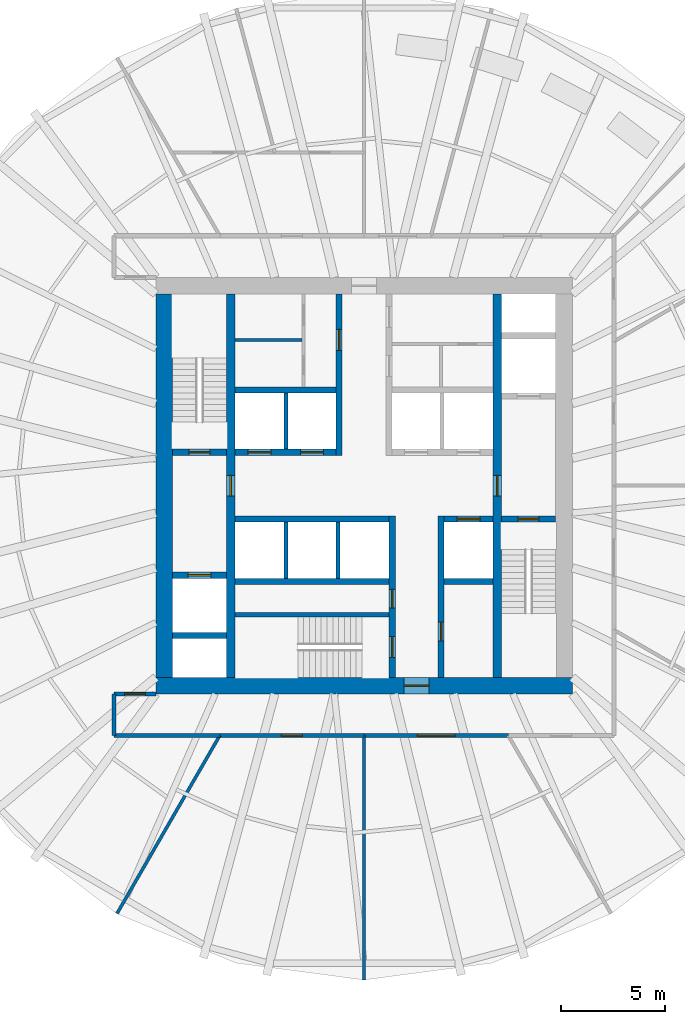
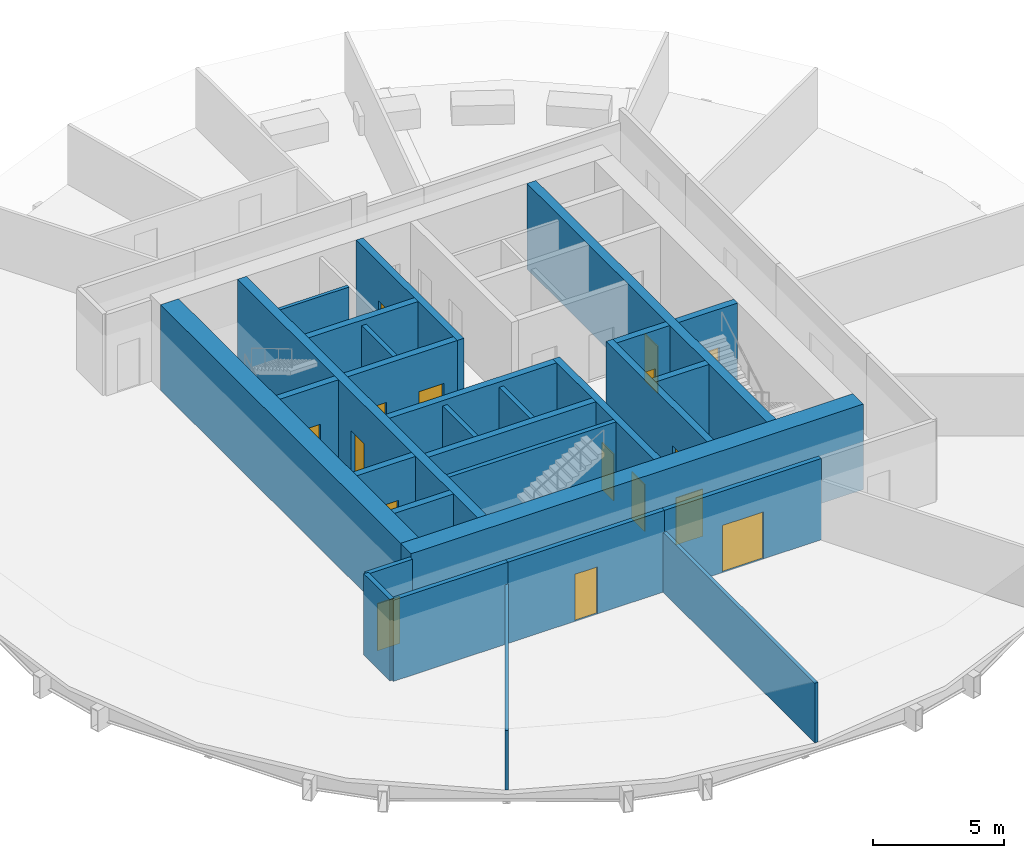
# One storey, part 3 of 7: 29 walls, 16 doors, 16 openings.
"""IFC4 building model written with IfcOpenShell, lengths in metres."""

from ifc_helpers import new_model, si_unit, direction, frame, frame_2d, origin, place, context, subcontext, project, spatial, rectangle, extrude, material, layer, layer_set, type_object, element, fill, save


model = new_model("IFC4")

# Units and contexts
model_context = context("Model", 3, precision=1e-05, world=origin(), true_north=direction((0.0, 1.0)))
body_context = subcontext(model_context, "Body", "Model", "MODEL_VIEW")
ifc_project = project(units=[si_unit("LENGTHUNIT", "METRE"), si_unit("AREAUNIT", "SQUARE_METRE"), si_unit("VOLUMEUNIT", "CUBIC_METRE"), si_unit("PLANEANGLEUNIT", "RADIAN"), si_unit("MASSUNIT", "GRAM", prefix="KILO")], contexts=[model_context])

# Site, building, storey
site_placement = place(None, origin())
site = spatial("IfcSite", under=ifc_project, at=site_placement, CompositionType="ELEMENT")
building_placement = place(site_placement, origin())
building = spatial("IfcBuilding", under=site, at=building_placement, Name="Golbaran Civic Tower", CompositionType="ELEMENT")
storey_placement = place(building_placement, frame((0.0, 0.0, 65.0)))
storey = spatial("IfcBuildingStorey", under=building, at=storey_placement, Name="L15", CompositionType="ELEMENT", Elevation=65.0)

# Wall, opening, door
ifc_material_1 = material(Name="Concrete C50/60", Category="concrete")
ifc_layer_1 = layer(ifc_material_1, 0.39990234375, Name="Concrete C50/60")
ifc_layer_set_1 = layer_set([ifc_layer_1], Name="Concrete C50/60")
wall_type_1 = type_object("IfcWallType", Name="CORE WALL CONCRETE 400", PredefinedType="SOLIDWALL", material=ifc_layer_set_1)
wall_1_placement = place(storey_placement, frame((-6.39990234375, -9.199951171875, 0.0), z_axis=(0.0, 0.0, 1.0), x_axis=(0.0, 1.0, 0.0)))
wall_1 = element("IfcWall", 1, at=wall_1_placement, inside=storey, type_object=wall_type_1, Name="Core wall IW L15", PredefinedType="SOLIDWALL", context=body_context, shape_type="SweptSolid", body=[
    extrude(rectangle(XDim=18.39990234375, YDim=0.39990234375, at=frame_2d((9.199951171875, 0.0))), origin(), (0.0, 0.0, 1.0), 4.0),
])
opening_1_placement = place(wall_1_placement, frame((8.699951171875, 0.0, 0.0)))
opening_1 = element("IfcOpeningElement", 2, at=opening_1_placement, cuts=wall_1, Name="Opening L15.FL1", PredefinedType="OPENING", context=body_context, shape_type="SweptSolid", body=[
    extrude(rectangle(XDim=1.0, YDim=2.199951171875, at=frame_2d((0.5, 1.10009765625))), frame((0.0, 0.2099609375, 0.0), z_axis=(0.0, -1.0, 0.0), x_axis=(1.0, 0.0, 0.0)), (0.0, 0.0, 1.0), 0.419921875),
])
ifc_material_2 = material(Name="Timber door set in steel frame", Category="steel")
door_type_1 = type_object("IfcDoorType", Name="STAIR DOOR 1000x2200", OperationType="SINGLE_SWING_LEFT", PredefinedType="DOOR", material=ifc_material_2)
door_1_placement = place(opening_1_placement, origin())
door_1 = element("IfcDoor", 3, at=door_1_placement, inside=storey, type_object=door_type_1, Name="Fire-fighting lobby FL1 door", OperationType="SINGLE_SWING_LEFT", OverallHeight=2.199951171875, OverallWidth=1.0, PredefinedType="DOOR", context=body_context, shape_type="SweptSolid", body=[
    extrude(rectangle(XDim=1.0, YDim=2.199951171875, at=frame_2d((0.5, 1.10009765625))), frame((0.0, 0.02490234375, 0.0), z_axis=(0.0, -1.0, 0.0), x_axis=(1.0, 0.0, 0.0)), (0.0, 0.0, 1.0), 0.050048828125),
])
fill(opening_1, door_1)

wall_2_placement = place(storey_placement, frame((6.39990234375, 9.199951171875, 0.0), z_axis=(0.0, 0.0, 1.0), x_axis=(0.0, -1.0, 0.0)))
wall_2 = element("IfcWall", 4, at=wall_2_placement, inside=storey, type_object=wall_type_1, Name="Core wall IE L15", PredefinedType="SOLIDWALL", context=body_context, shape_type="SweptSolid", body=[
    extrude(rectangle(XDim=18.39990234375, YDim=0.39990234375, at=frame_2d((9.199951171875, 0.0))), origin(), (0.0, 0.0, 1.0), 4.0),
])
opening_2_placement = place(wall_2_placement, frame((8.699951171875, 0.0, 0.0)))
opening_2 = element("IfcOpeningElement", 5, at=opening_2_placement, cuts=wall_2, Name="Opening L15.FL2", PredefinedType="OPENING", context=body_context, shape_type="SweptSolid", body=[
    extrude(rectangle(XDim=1.0, YDim=2.199951171875, at=frame_2d((0.5, 1.10009765625))), frame((0.0, 0.2099609375, 0.0), z_axis=(0.0, -1.0, 0.0), x_axis=(1.0, 0.0, 0.0)), (0.0, 0.0, 1.0), 0.419921875),
])
door_2_placement = place(opening_2_placement, origin())
door_2 = element("IfcDoor", 6, at=door_2_placement, inside=storey, type_object=door_type_1, Name="Fire-fighting lobby FL2 door", OperationType="SINGLE_SWING_RIGHT", OverallHeight=2.199951171875, OverallWidth=1.0, PredefinedType="DOOR", context=body_context, shape_type="SweptSolid", body=[
    extrude(rectangle(XDim=1.0, YDim=2.199951171875, at=frame_2d((0.5, 1.10009765625))), frame((0.0, 0.02490234375, 0.0), z_axis=(0.0, -1.0, 0.0), x_axis=(1.0, 0.0, 0.0)), (0.0, 0.0, 1.0), 0.050048828125),
])
fill(opening_2, door_2)

ifc_layer_2 = layer(ifc_material_1, 0.800048828125, Name="Concrete C50/60")
ifc_layer_set_2 = layer_set([ifc_layer_2], Name="Concrete C50/60")
wall_type_2 = type_object("IfcWallType", Name="CORE WALL CONCRETE 800", PredefinedType="SOLIDWALL", material=ifc_layer_set_2)
wall_3_placement = place(storey_placement, frame((10.0, -9.60009765625, 0.0), z_axis=(0.0, 0.0, 1.0), x_axis=(-1.0, 0.0, 0.0)))
wall_3 = element("IfcWall", 7, at=wall_3_placement, inside=storey, type_object=wall_type_2, Name="Core wall CS L15", PredefinedType="SOLIDWALL", context=body_context, shape_type="SweptSolid", body=[
    extrude(rectangle(XDim=20.0, YDim=0.800048828125, at=frame_2d((10.0, 0.0))), origin(), (0.0, 0.0, 1.0), 4.0),
])
opening_3_placement = place(wall_3_placement, frame((6.875, 0.0, 0.0)))
opening_3 = element("IfcOpeningElement", 8, at=opening_3_placement, cuts=wall_3, Name="Opening L15.CS", PredefinedType="OPENING", context=body_context, shape_type="SweptSolid", body=[
    extrude(rectangle(XDim=1.199951171875, YDim=2.199951171875, at=frame_2d((0.60009765625, 1.10009765625))), frame((0.0, 0.409912109375, 0.0), z_axis=(0.0, -1.0, 0.0), x_axis=(1.0, 0.0, 0.0)), (0.0, 0.0, 1.0), 0.820068359375),
])
door_type_2 = type_object("IfcDoorType", Name="CORE DOOR 1200x2200", OperationType="DOUBLE_DOOR_SINGLE_SWING", PredefinedType="DOOR", material=ifc_material_2)
door_3_placement = place(opening_3_placement, origin())
door_3 = element("IfcDoor", 9, at=door_3_placement, inside=storey, type_object=door_type_2, Name="Core door south", OperationType="DOUBLE_DOOR_SINGLE_SWING", OverallHeight=2.199951171875, OverallWidth=1.199951171875, PredefinedType="DOOR", context=body_context, shape_type="SweptSolid", body=[
    extrude(rectangle(XDim=1.199951171875, YDim=2.199951171875, at=frame_2d((0.60009765625, 1.10009765625))), frame((0.0, 0.02490234375, 0.0), z_axis=(0.0, -1.0, 0.0), x_axis=(1.0, 0.0, 0.0)), (0.0, 0.0, 1.0), 0.050048828125),
])
fill(opening_3, door_3)

# Walls
wall_4_placement = place(storey_placement, frame((-9.60009765625, 9.199951171875, 0.0), z_axis=(0.0, 0.0, 1.0), x_axis=(0.0, -1.0, 0.0)))
element("IfcWall", 10, at=wall_4_placement, inside=storey, type_object=wall_type_2, Name="Core wall CW L15", PredefinedType="SOLIDWALL", context=body_context, shape_type="SweptSolid", body=[
    extrude(rectangle(XDim=18.39990234375, YDim=0.800048828125, at=frame_2d((9.199951171875, 0.0))), origin(), (0.0, 0.0, 1.0), 4.0),
])
ifc_material_3 = material(Name="Gypsum board on steel studs, fire-rated", Category="steel")
ifc_layer_3 = layer(ifc_material_3, 0.199951171875, Name="Gypsum board on steel studs, fire-rated")
ifc_layer_set_3 = layer_set([ifc_layer_3], Name="Gypsum board on steel studs, fire-rated")
wall_type_3 = type_object("IfcWallType", Name="CORRIDOR WALL 200", PredefinedType="PARTITIONING", material=ifc_layer_set_3)
wall_5_placement = place(storey_placement, frame((-12.0, -10.0, 0.0), z_axis=(0.0, 0.0, 1.0), x_axis=(0.0, -1.0, 0.0)))
element("IfcWall", 11, at=wall_5_placement, inside=storey, type_object=wall_type_3, Name="Corridor wall L15", PredefinedType="PARTITIONING", context=body_context, shape_type="SweptSolid", body=[
    extrude(rectangle(XDim=2.0, YDim=0.199951171875, at=frame_2d((1.0, 0.0))), origin(), (0.0, 0.0, 1.0), 3.800048828125),
])
wall_6_placement = place(storey_placement, frame((-12.0, -12.0, 0.0), z_axis=(0.0, 0.0, 1.0), x_axis=(1.0, 0.0, 0.0)))
element("IfcWall", 12, at=wall_6_placement, inside=storey, type_object=wall_type_3, Name="Corridor wall L15", PredefinedType="PARTITIONING", context=body_context, shape_type="SweptSolid", body=[
    extrude(rectangle(XDim=5.07177734375, YDim=0.199951171875, at=frame_2d((2.535888671875, 0.0))), origin(), (0.0, 0.0, 1.0), 3.800048828125),
])

# Wall, opening, door
wall_7_placement = place(storey_placement, frame((-6.92822265625, -12.0, 0.0), z_axis=(0.0, 0.0, 1.0), x_axis=(1.0, 0.0, 0.0)))
wall_7 = element("IfcWall", 13, at=wall_7_placement, inside=storey, type_object=wall_type_3, Name="Corridor wall L15", PredefinedType="PARTITIONING", context=body_context, shape_type="SweptSolid", body=[
    extrude(rectangle(XDim=6.92822265625, YDim=0.199951171875, at=frame_2d((3.464111328125, 0.0))), origin(), (0.0, 0.0, 1.0), 3.800048828125),
])
opening_4_placement = place(wall_7_placement, frame((2.964111328125, 0.0, 0.0)))
opening_4 = element("IfcOpeningElement", 14, at=opening_4_placement, cuts=wall_7, Name="Opening L15.10", PredefinedType="OPENING", context=body_context, shape_type="SweptSolid", body=[
    extrude(rectangle(XDim=1.0, YDim=2.199951171875, at=frame_2d((0.5, 1.10009765625))), frame((0.0, 0.10986328125, 0.0), z_axis=(0.0, -1.0, 0.0), x_axis=(1.0, 0.0, 0.0)), (0.0, 0.0, 1.0), 0.219970703125),
])
door_type_3 = type_object("IfcDoorType", Name="OFFICE DOOR 1000x2200", OperationType="SINGLE_SWING_LEFT", PredefinedType="DOOR", material=ifc_material_2)
door_4_placement = place(opening_4_placement, origin())
door_4 = element("IfcDoor", 15, at=door_4_placement, inside=storey, type_object=door_type_3, Name="Meeting Room door L15", OperationType="SINGLE_SWING_LEFT", OverallHeight=2.199951171875, OverallWidth=1.0, PredefinedType="DOOR", context=body_context, shape_type="SweptSolid", body=[
    extrude(rectangle(XDim=1.0, YDim=2.199951171875, at=frame_2d((0.5, 1.10009765625))), frame((0.0, 0.02490234375, 0.0), z_axis=(0.0, -1.0, 0.0), x_axis=(1.0, 0.0, 0.0)), (0.0, 0.0, 1.0), 0.050048828125),
])
fill(opening_4, door_4)

wall_8_placement = place(storey_placement, frame((0.0, -12.0, 0.0), z_axis=(0.0, 0.0, 1.0), x_axis=(1.0, 0.0, 0.0)))
wall_8 = element("IfcWall", 16, at=wall_8_placement, inside=storey, type_object=wall_type_3, Name="Corridor wall L15", PredefinedType="PARTITIONING", context=body_context, shape_type="SweptSolid", body=[
    extrude(rectangle(XDim=6.92822265625, YDim=0.199951171875, at=frame_2d((3.464111328125, 0.0))), origin(), (0.0, 0.0, 1.0), 3.800048828125),
])
opening_5_placement = place(wall_8_placement, frame((2.564208984375, 0.0, 0.0)))
opening_5 = element("IfcOpeningElement", 17, at=opening_5_placement, cuts=wall_8, Name="Opening L15.11", PredefinedType="OPENING", context=body_context, shape_type="SweptSolid", body=[
    extrude(rectangle(XDim=1.800048828125, YDim=2.199951171875, at=frame_2d((0.89990234375, 1.10009765625))), frame((0.0, 0.10986328125, 0.0), z_axis=(0.0, -1.0, 0.0), x_axis=(1.0, 0.0, 0.0)), (0.0, 0.0, 1.0), 0.219970703125),
])
door_type_4 = type_object("IfcDoorType", Name="OFFICE DOUBLE DOOR 1800x2200", OperationType="DOUBLE_DOOR_SINGLE_SWING", PredefinedType="DOOR", material=ifc_material_2)
door_5_placement = place(opening_5_placement, origin())
door_5 = element("IfcDoor", 18, at=door_5_placement, inside=storey, type_object=door_type_4, Name="Open Office door L15", OperationType="DOUBLE_DOOR_SINGLE_SWING", OverallHeight=2.199951171875, OverallWidth=1.800048828125, PredefinedType="DOOR", context=body_context, shape_type="SweptSolid", body=[
    extrude(rectangle(XDim=1.800048828125, YDim=2.199951171875, at=frame_2d((0.89990234375, 1.10009765625))), frame((0.0, 0.02490234375, 0.0), z_axis=(0.0, -1.0, 0.0), x_axis=(1.0, 0.0, 0.0)), (0.0, 0.0, 1.0), 0.050048828125),
])
fill(opening_5, door_5)

wall_9_placement = place(storey_placement, frame((-10.0, -10.0, 0.0), z_axis=(0.0, 0.0, 1.0), x_axis=(-1.0, 0.0, 0.0)))
wall_9 = element("IfcWall", 19, at=wall_9_placement, inside=storey, type_object=wall_type_3, Name="Corridor end wall L15", PredefinedType="PARTITIONING", context=body_context, shape_type="SweptSolid", body=[
    extrude(rectangle(XDim=2.0, YDim=0.199951171875, at=frame_2d((1.0, 0.0))), origin(), (0.0, 0.0, 1.0), 3.800048828125),
])
opening_6_placement = place(wall_9_placement, frame((0.5, 0.0, 0.0)))
opening_6 = element("IfcOpeningElement", 20, at=opening_6_placement, cuts=wall_9, Name="Opening L15.14", PredefinedType="OPENING", context=body_context, shape_type="SweptSolid", body=[
    extrude(rectangle(XDim=1.0, YDim=2.199951171875, at=frame_2d((0.5, 1.10009765625))), frame((0.0, 0.10986328125, 0.0), z_axis=(0.0, -1.0, 0.0), x_axis=(1.0, 0.0, 0.0)), (0.0, 0.0, 1.0), 0.219970703125),
])
door_6_placement = place(opening_6_placement, origin())
door_6 = element("IfcDoor", 21, at=door_6_placement, inside=storey, type_object=door_type_3, Name="Open Office door L15", OperationType="SINGLE_SWING_RIGHT", OverallHeight=2.199951171875, OverallWidth=1.0, PredefinedType="DOOR", context=body_context, shape_type="SweptSolid", body=[
    extrude(rectangle(XDim=1.0, YDim=2.199951171875, at=frame_2d((0.5, 1.10009765625))), frame((0.0, 0.02490234375, 0.0), z_axis=(0.0, -1.0, 0.0), x_axis=(1.0, 0.0, 0.0)), (0.0, 0.0, 1.0), 0.050048828125),
])
fill(opening_6, door_6)

# Walls
ifc_material_4 = material(Name="Concrete block", Category="concrete")
ifc_layer_4 = layer(ifc_material_4, 0.199951171875, Name="Concrete block")
ifc_layer_set_4 = layer_set([ifc_layer_4], Name="Concrete block")
wall_type_4 = type_object("IfcWallType", Name="LIFT SEPARATOR WALL 200", PredefinedType="SOLIDWALL", material=ifc_layer_set_4)
for number, where, z_axis, x_axis, name in (
    (22, (-3.75, 1.75, 0.0), (0.0, 0.0, 1.0), (0.0, 1.0, 0.0), "Core partition SNW L15"),
    (23, (-3.75, -1.75, 0.0), (0.0, 0.0, 1.0), (0.0, -1.0, 0.0), "Core partition SSW L15"),
    (24, (-1.25, -1.75, 0.0), (0.0, 0.0, 1.0), (0.0, -1.0, 0.0), "Core partition SSM L15"),
):
    element("IfcWall", number, at=place(storey_placement, frame(where, z_axis=z_axis, x_axis=x_axis)), inside=storey, type_object=wall_type_4, Name=name, PredefinedType="SOLIDWALL", context=body_context, shape_type="SweptSolid", body=[
        extrude(rectangle(XDim=2.699951171875, YDim=0.199951171875, at=frame_2d((1.35009765625, 0.0))), origin(), (0.0, 0.0, 1.0), 3.75),
    ])
ifc_material_5 = material(Name="Gypsum board on steel studs", Category="steel")
ifc_layer_5 = layer(ifc_material_5, 0.14990234375, Name="Gypsum board on steel studs")
ifc_layer_set_5 = layer_set([ifc_layer_5], Name="Gypsum board on steel studs")
wall_type_5 = type_object("IfcWallType", Name="OFFICE PARTITION 150", PredefinedType="PARTITIONING", material=ifc_layer_set_5)
wall_10_placement = place(storey_placement, frame((-6.92822265625, -12.0, 0.0), z_axis=(0.0, 0.0, 1.0), x_axis=(-0.499988678145, -0.866031940362, 0.0)))
element("IfcWall", 25, at=wall_10_placement, inside=storey, type_object=wall_type_5, Name="Partition 240 L15", PredefinedType="PARTITIONING", context=body_context, shape_type="SweptSolid", body=[
    extrude(rectangle(XDim=9.869873046875, YDim=0.14990234375, at=frame_2d((4.93505859375, 0.0))), origin(), (0.0, 0.0, 1.0), 2.7900390625),
])
wall_11_placement = place(storey_placement, frame((0.0, -12.0, 0.0), z_axis=(0.0, 0.0, 1.0), x_axis=(0.0, -1.0, 0.0)))
element("IfcWall", 26, at=wall_11_placement, inside=storey, type_object=wall_type_5, Name="Partition 270 L15", PredefinedType="PARTITIONING", context=body_context, shape_type="SweptSolid", body=[
    extrude(rectangle(XDim=11.726318359375, YDim=0.14990234375, at=frame_2d((5.86328125, 0.0))), origin(), (0.0, 0.0, 1.0), 2.7900390625),
])
ifc_layer_6 = layer(ifc_material_1, 0.199951171875, Name="Concrete C50/60")
ifc_layer_set_6 = layer_set([ifc_layer_6], Name="Concrete C50/60")
wall_type_6 = type_object("IfcWallType", Name="SHAFT WALL CONCRETE 200", PredefinedType="SOLIDWALL", material=ifc_layer_set_6)
wall_12_placement = place(storey_placement, frame((-6.199951171875, -6.199951171875, 0.0), z_axis=(0.0, 0.0, 1.0), x_axis=(1.0, 0.0, 0.0)))
element("IfcWall", 27, at=wall_12_placement, inside=storey, type_object=wall_type_6, Name="Core wall S3N L15", PredefinedType="SOLIDWALL", context=body_context, shape_type="SweptSolid", body=[
    extrude(rectangle(XDim=7.39990234375, YDim=0.199951171875, at=frame_2d((3.699951171875, 0.0))), origin(), (0.0, 0.0, 1.0), 4.0),
])

# Wall, openings, doors
ifc_layer_7 = layer(ifc_material_1, 0.300048828125, Name="Concrete C50/60")
ifc_layer_set_7 = layer_set([ifc_layer_7], Name="Concrete C50/60")
wall_type_7 = type_object("IfcWallType", Name="SHAFT WALL CONCRETE 300", PredefinedType="SOLIDWALL", material=ifc_layer_set_7)
wall_13_placement = place(storey_placement, frame((-6.199951171875, 1.60009765625, 0.0), z_axis=(0.0, 0.0, 1.0), x_axis=(1.0, 0.0, 0.0)))
wall_13 = element("IfcWall", 28, at=wall_13_placement, inside=storey, type_object=wall_type_7, Name="Core wall FNW L15", PredefinedType="SOLIDWALL", context=body_context, shape_type="SweptSolid", body=[
    extrude(rectangle(XDim=4.849853515625, YDim=0.300048828125, at=frame_2d((2.4248046875, 0.0))), origin(), (0.0, 0.0, 1.0), 4.0),
])
opening_7_placement = place(wall_13_placement, frame((0.625, 0.0, 0.0)))
opening_7 = element("IfcOpeningElement", 29, at=opening_7_placement, cuts=wall_13, Name="Opening L15.LD-Z1L", PredefinedType="OPENING", context=body_context, shape_type="SweptSolid", body=[
    extrude(rectangle(XDim=1.10009765625, YDim=2.199951171875, at=frame_2d((0.550048828125, 1.10009765625))), frame((0.0, 0.159912109375, 0.0), z_axis=(0.0, -1.0, 0.0), x_axis=(1.0, 0.0, 0.0)), (0.0, 0.0, 1.0), 0.320068359375),
])
opening_8_placement = place(wall_13_placement, frame((3.14990234375, 0.0, 0.0)))
opening_8 = element("IfcOpeningElement", 30, at=opening_8_placement, cuts=wall_13, Name="Opening L15.LD-Z2L", PredefinedType="OPENING", context=body_context, shape_type="SweptSolid", body=[
    extrude(rectangle(XDim=1.10009765625, YDim=2.199951171875, at=frame_2d((0.550048828125, 1.10009765625))), frame((0.0, 0.159912109375, 0.0), z_axis=(0.0, -1.0, 0.0), x_axis=(1.0, 0.0, 0.0)), (0.0, 0.0, 1.0), 0.320068359375),
])
ifc_material_6 = material(Name="Stainless steel", Category="steel")
door_type_5 = type_object("IfcDoorType", Name="LIFT LANDING DOOR 1100x2200", OperationType="SLIDING_TO_LEFT", PredefinedType="DOOR", material=ifc_material_6)
door_7_placement = place(opening_7_placement, origin())
door_7 = element("IfcDoor", 31, at=door_7_placement, inside=storey, type_object=door_type_5, Name="Lift landing door Z1L", OperationType="SLIDING_TO_LEFT", OverallHeight=2.199951171875, OverallWidth=1.10009765625, PredefinedType="DOOR", context=body_context, shape_type="SweptSolid", body=[
    extrude(rectangle(XDim=1.10009765625, YDim=2.199951171875, at=frame_2d((0.550048828125, 1.10009765625))), frame((0.0, 0.02490234375, 0.0), z_axis=(0.0, -1.0, 0.0), x_axis=(1.0, 0.0, 0.0)), (0.0, 0.0, 1.0), 0.050048828125),
])
fill(opening_7, door_7)
door_8_placement = place(opening_8_placement, origin())
door_8 = element("IfcDoor", 32, at=door_8_placement, inside=storey, type_object=door_type_5, Name="Lift landing door Z2L", OperationType="SLIDING_TO_LEFT", OverallHeight=2.199951171875, OverallWidth=1.10009765625, PredefinedType="DOOR", context=body_context, shape_type="SweptSolid", body=[
    extrude(rectangle(XDim=1.10009765625, YDim=2.199951171875, at=frame_2d((0.550048828125, 1.10009765625))), frame((0.0, 0.02490234375, 0.0), z_axis=(0.0, -1.0, 0.0), x_axis=(1.0, 0.0, 0.0)), (0.0, 0.0, 1.0), 0.050048828125),
])
fill(opening_8, door_8)

# Wall
wall_14_placement = place(storey_placement, frame((-6.199951171875, 4.60009765625, 0.0), z_axis=(0.0, 0.0, 1.0), x_axis=(1.0, 0.0, 0.0)))
element("IfcWall", 33, at=wall_14_placement, inside=storey, type_object=wall_type_7, Name="Core wall BNW L15", PredefinedType="SOLIDWALL", context=body_context, shape_type="SweptSolid", body=[
    extrude(rectangle(XDim=4.849853515625, YDim=0.300048828125, at=frame_2d((2.4248046875, 0.0))), origin(), (0.0, 0.0, 1.0), 4.0),
])

# Wall, opening, door
wall_15_placement = place(storey_placement, frame((-1.199951171875, 1.449951171875, 0.0), z_axis=(0.0, 0.0, 1.0), x_axis=(0.0, 1.0, 0.0)))
wall_15 = element("IfcWall", 34, at=wall_15_placement, inside=storey, type_object=wall_type_7, Name="Core wall PNW L15", PredefinedType="SOLIDWALL", context=body_context, shape_type="SweptSolid", body=[
    extrude(rectangle(XDim=7.75, YDim=0.300048828125, at=frame_2d((3.875, 0.0))), origin(), (0.0, 0.0, 1.0), 4.0),
])
opening_9_placement = place(wall_15_placement, frame((5.050048828125, 0.0, 0.0)))
opening_9 = element("IfcOpeningElement", 35, at=opening_9_placement, cuts=wall_15, Name="Opening L15.WCM", PredefinedType="OPENING", context=body_context, shape_type="SweptSolid", body=[
    extrude(rectangle(XDim=1.0, YDim=2.199951171875, at=frame_2d((0.5, 1.10009765625))), frame((0.0, 0.159912109375, 0.0), z_axis=(0.0, -1.0, 0.0), x_axis=(1.0, 0.0, 0.0)), (0.0, 0.0, 1.0), 0.320068359375),
])
door_type_6 = type_object("IfcDoorType", Name="TOILET DOOR 1000x2200", OperationType="SINGLE_SWING_LEFT", PredefinedType="DOOR", material=ifc_material_2)
door_9_placement = place(opening_9_placement, origin())
door_9 = element("IfcDoor", 36, at=door_9_placement, inside=storey, type_object=door_type_6, Name="North-west toilet block door", OperationType="SINGLE_SWING_RIGHT", OverallHeight=2.199951171875, OverallWidth=1.0, PredefinedType="DOOR", context=body_context, shape_type="SweptSolid", body=[
    extrude(rectangle(XDim=1.0, YDim=2.199951171875, at=frame_2d((0.5, 1.10009765625))), frame((0.0, 0.02490234375, 0.0), z_axis=(0.0, -1.0, 0.0), x_axis=(1.0, 0.0, 0.0)), (0.0, 0.0, 1.0), 0.050048828125),
])
fill(opening_9, door_9)

# Wall
wall_16_placement = place(storey_placement, frame((-6.199951171875, -1.60009765625, 0.0), z_axis=(0.0, 0.0, 1.0), x_axis=(1.0, 0.0, 0.0)))
element("IfcWall", 37, at=wall_16_placement, inside=storey, type_object=wall_type_7, Name="Core wall FSW L15", PredefinedType="SOLIDWALL", context=body_context, shape_type="SweptSolid", body=[
    extrude(rectangle(XDim=7.39990234375, YDim=0.300048828125, at=frame_2d((3.699951171875, 0.0))), origin(), (0.0, 0.0, 1.0), 4.0),
])

# Wall, opening, door
wall_17_placement = place(storey_placement, frame((3.85009765625, -1.60009765625, 0.0), z_axis=(0.0, 0.0, 1.0), x_axis=(1.0, 0.0, 0.0)))
wall_17 = element("IfcWall", 38, at=wall_17_placement, inside=storey, type_object=wall_type_7, Name="Core wall FSE L15", PredefinedType="SOLIDWALL", context=body_context, shape_type="SweptSolid", body=[
    extrude(rectangle(XDim=2.349853515625, YDim=0.300048828125, at=frame_2d((1.1748046875, 0.0))), origin(), (0.0, 0.0, 1.0), 4.0),
])
opening_10_placement = place(wall_17_placement, frame((0.625, 0.0, 0.0)))
opening_10 = element("IfcOpeningElement", 39, at=opening_10_placement, cuts=wall_17, Name="Opening L15.LD-V1", PredefinedType="OPENING", context=body_context, shape_type="SweptSolid", body=[
    extrude(rectangle(XDim=1.10009765625, YDim=2.199951171875, at=frame_2d((0.550048828125, 1.10009765625))), frame((0.0, 0.159912109375, 0.0), z_axis=(0.0, -1.0, 0.0), x_axis=(1.0, 0.0, 0.0)), (0.0, 0.0, 1.0), 0.320068359375),
])
door_10_placement = place(opening_10_placement, origin())
door_10 = element("IfcDoor", 40, at=door_10_placement, inside=storey, type_object=door_type_5, Name="Lift landing door V1", OperationType="SLIDING_TO_LEFT", OverallHeight=2.199951171875, OverallWidth=1.10009765625, PredefinedType="DOOR", context=body_context, shape_type="SweptSolid", body=[
    extrude(rectangle(XDim=1.10009765625, YDim=2.199951171875, at=frame_2d((0.550048828125, 1.10009765625))), frame((0.0, 0.02490234375, 0.0), z_axis=(0.0, -1.0, 0.0), x_axis=(1.0, 0.0, 0.0)), (0.0, 0.0, 1.0), 0.050048828125),
])
fill(opening_10, door_10)

# Walls
wall_18_placement = place(storey_placement, frame((-6.199951171875, -4.60009765625, 0.0), z_axis=(0.0, 0.0, 1.0), x_axis=(1.0, 0.0, 0.0)))
element("IfcWall", 41, at=wall_18_placement, inside=storey, type_object=wall_type_7, Name="Core wall BSW L15", PredefinedType="SOLIDWALL", context=body_context, shape_type="SweptSolid", body=[
    extrude(rectangle(XDim=7.39990234375, YDim=0.300048828125, at=frame_2d((3.699951171875, 0.0))), origin(), (0.0, 0.0, 1.0), 4.0),
])
wall_19_placement = place(storey_placement, frame((3.85009765625, -4.60009765625, 0.0), z_axis=(0.0, 0.0, 1.0), x_axis=(1.0, 0.0, 0.0)))
element("IfcWall", 42, at=wall_19_placement, inside=storey, type_object=wall_type_7, Name="Core wall BSE L15", PredefinedType="SOLIDWALL", context=body_context, shape_type="SweptSolid", body=[
    extrude(rectangle(XDim=2.349853515625, YDim=0.300048828125, at=frame_2d((1.1748046875, 0.0))), origin(), (0.0, 0.0, 1.0), 4.0),
])

# Wall, openings, doors
wall_20_placement = place(storey_placement, frame((1.35009765625, -1.449951171875, 0.0), z_axis=(0.0, 0.0, 1.0), x_axis=(0.0, -1.0, 0.0)))
wall_20 = element("IfcWall", 43, at=wall_20_placement, inside=storey, type_object=wall_type_7, Name="Core wall PSW L15", PredefinedType="SOLIDWALL", context=body_context, shape_type="SweptSolid", body=[
    extrude(rectangle(XDim=7.75, YDim=0.300048828125, at=frame_2d((3.875, 0.0))), origin(), (0.0, 0.0, 1.0), 4.0),
])
opening_11_placement = place(wall_20_placement, frame((5.800048828125, 0.0, 0.0)))
opening_11 = element("IfcOpeningElement", 44, at=opening_11_placement, cuts=wall_20, Name="Opening L15.S3", PredefinedType="OPENING", context=body_context, shape_type="SweptSolid", body=[
    extrude(rectangle(XDim=1.0, YDim=2.199951171875, at=frame_2d((0.5, 1.10009765625))), frame((0.0, 0.159912109375, 0.0), z_axis=(0.0, -1.0, 0.0), x_axis=(1.0, 0.0, 0.0)), (0.0, 0.0, 1.0), 0.320068359375),
])
opening_12_placement = place(wall_20_placement, frame((3.52490234375, 0.0, 0.0)))
opening_12 = element("IfcOpeningElement", 45, at=opening_12_placement, cuts=wall_20, Name="Opening L15.RE", PredefinedType="OPENING", context=body_context, shape_type="SweptSolid", body=[
    extrude(rectangle(XDim=0.89990234375, YDim=2.199951171875, at=frame_2d((0.449951171875, 1.10009765625))), frame((0.0, 0.159912109375, 0.0), z_axis=(0.0, -1.0, 0.0), x_axis=(1.0, 0.0, 0.0)), (0.0, 0.0, 1.0), 0.320068359375),
])
door_type_7 = type_object("IfcDoorType", Name="RISER DOOR 900x2200", OperationType="SINGLE_SWING_LEFT", PredefinedType="DOOR", material=ifc_material_2)
door_11_placement = place(opening_12_placement, origin())
door_11 = element("IfcDoor", 46, at=door_11_placement, inside=storey, type_object=door_type_7, Name="Electrical riser door", OperationType="SINGLE_SWING_RIGHT", OverallHeight=2.199951171875, OverallWidth=0.89990234375, PredefinedType="DOOR", context=body_context, shape_type="SweptSolid", body=[
    extrude(rectangle(XDim=0.89990234375, YDim=2.199951171875, at=frame_2d((0.449951171875, 1.10009765625))), frame((0.0, 0.02490234375, 0.0), z_axis=(0.0, -1.0, 0.0), x_axis=(1.0, 0.0, 0.0)), (0.0, 0.0, 1.0), 0.050048828125),
])
fill(opening_12, door_11)
door_12_placement = place(opening_11_placement, origin())
door_12 = element("IfcDoor", 47, at=door_12_placement, inside=storey, type_object=door_type_1, Name="Stair S3 door", OperationType="SINGLE_SWING_RIGHT", OverallHeight=2.199951171875, OverallWidth=1.0, PredefinedType="DOOR", context=body_context, shape_type="SweptSolid", body=[
    extrude(rectangle(XDim=1.0, YDim=2.199951171875, at=frame_2d((0.5, 1.10009765625))), frame((0.0, 0.02490234375, 0.0), z_axis=(0.0, -1.0, 0.0), x_axis=(1.0, 0.0, 0.0)), (0.0, 0.0, 1.0), 0.050048828125),
])
fill(opening_11, door_12)

# Wall, opening, door
wall_21_placement = place(storey_placement, frame((3.699951171875, -1.449951171875, 0.0), z_axis=(0.0, 0.0, 1.0), x_axis=(0.0, -1.0, 0.0)))
wall_21 = element("IfcWall", 48, at=wall_21_placement, inside=storey, type_object=wall_type_7, Name="Core wall PSE L15", PredefinedType="SOLIDWALL", context=body_context, shape_type="SweptSolid", body=[
    extrude(rectangle(XDim=7.75, YDim=0.300048828125, at=frame_2d((3.875, 0.0))), origin(), (0.0, 0.0, 1.0), 4.0),
])
opening_13_placement = place(wall_21_placement, frame((5.10009765625, 0.0, 0.0)))
opening_13 = element("IfcOpeningElement", 49, at=opening_13_placement, cuts=wall_21, Name="Opening L15.RM", PredefinedType="OPENING", context=body_context, shape_type="SweptSolid", body=[
    extrude(rectangle(XDim=0.89990234375, YDim=2.199951171875, at=frame_2d((0.449951171875, 1.10009765625))), frame((0.0, 0.159912109375, 0.0), z_axis=(0.0, -1.0, 0.0), x_axis=(1.0, 0.0, 0.0)), (0.0, 0.0, 1.0), 0.320068359375),
])
door_13_placement = place(opening_13_placement, origin())
door_13 = element("IfcDoor", 50, at=door_13_placement, inside=storey, type_object=door_type_7, Name="Mechanical riser door", OperationType="SINGLE_SWING_RIGHT", OverallHeight=2.199951171875, OverallWidth=0.89990234375, PredefinedType="DOOR", context=body_context, shape_type="SweptSolid", body=[
    extrude(rectangle(XDim=0.89990234375, YDim=2.199951171875, at=frame_2d((0.449951171875, 1.10009765625))), frame((0.0, 0.02490234375, 0.0), z_axis=(0.0, -1.0, 0.0), x_axis=(1.0, 0.0, 0.0)), (0.0, 0.0, 1.0), 0.050048828125),
])
fill(opening_13, door_13)

wall_22_placement = place(storey_placement, frame((-9.199951171875, 1.60009765625, 0.0), z_axis=(0.0, 0.0, 1.0), x_axis=(1.0, 0.0, 0.0)))
wall_22 = element("IfcWall", 51, at=wall_22_placement, inside=storey, type_object=wall_type_7, Name="Core wall XW1 L15", PredefinedType="SOLIDWALL", context=body_context, shape_type="SweptSolid", body=[
    extrude(rectangle(XDim=2.599853515625, YDim=0.300048828125, at=frame_2d((1.2998046875, 0.0))), origin(), (0.0, 0.0, 1.0), 4.0),
])
opening_14_placement = place(wall_22_placement, frame((0.800048828125, 0.0, 0.0)))
opening_14 = element("IfcOpeningElement", 52, at=opening_14_placement, cuts=wall_22, Name="Opening L15.S1", PredefinedType="OPENING", context=body_context, shape_type="SweptSolid", body=[
    extrude(rectangle(XDim=1.0, YDim=2.199951171875, at=frame_2d((0.5, 1.10009765625))), frame((0.0, 0.159912109375, 0.0), z_axis=(0.0, -1.0, 0.0), x_axis=(1.0, 0.0, 0.0)), (0.0, 0.0, 1.0), 0.320068359375),
])
door_14_placement = place(opening_14_placement, origin())
door_14 = element("IfcDoor", 53, at=door_14_placement, inside=storey, type_object=door_type_1, Name="Stair S1 door", OperationType="SINGLE_SWING_LEFT", OverallHeight=2.199951171875, OverallWidth=1.0, PredefinedType="DOOR", context=body_context, shape_type="SweptSolid", body=[
    extrude(rectangle(XDim=1.0, YDim=2.199951171875, at=frame_2d((0.5, 1.10009765625))), frame((0.0, 0.02490234375, 0.0), z_axis=(0.0, -1.0, 0.0), x_axis=(1.0, 0.0, 0.0)), (0.0, 0.0, 1.0), 0.050048828125),
])
fill(opening_14, door_14)

wall_23_placement = place(storey_placement, frame((6.60009765625, -1.60009765625, 0.0), z_axis=(0.0, 0.0, 1.0), x_axis=(1.0, 0.0, 0.0)))
wall_23 = element("IfcWall", 54, at=wall_23_placement, inside=storey, type_object=wall_type_7, Name="Core wall XE1 L15", PredefinedType="SOLIDWALL", context=body_context, shape_type="SweptSolid", body=[
    extrude(rectangle(XDim=2.599853515625, YDim=0.300048828125, at=frame_2d((1.2998046875, 0.0))), origin(), (0.0, 0.0, 1.0), 4.0),
])
opening_15_placement = place(wall_23_placement, frame((0.800048828125, 0.0, 0.0)))
opening_15 = element("IfcOpeningElement", 55, at=opening_15_placement, cuts=wall_23, Name="Opening L15.S2", PredefinedType="OPENING", context=body_context, shape_type="SweptSolid", body=[
    extrude(rectangle(XDim=1.0, YDim=2.199951171875, at=frame_2d((0.5, 1.10009765625))), frame((0.0, 0.159912109375, 0.0), z_axis=(0.0, -1.0, 0.0), x_axis=(1.0, 0.0, 0.0)), (0.0, 0.0, 1.0), 0.320068359375),
])
door_15_placement = place(opening_15_placement, origin())
door_15 = element("IfcDoor", 56, at=door_15_placement, inside=storey, type_object=door_type_1, Name="Stair S2 door", OperationType="SINGLE_SWING_LEFT", OverallHeight=2.199951171875, OverallWidth=1.0, PredefinedType="DOOR", context=body_context, shape_type="SweptSolid", body=[
    extrude(rectangle(XDim=1.0, YDim=2.199951171875, at=frame_2d((0.5, 1.10009765625))), frame((0.0, 0.02490234375, 0.0), z_axis=(0.0, -1.0, 0.0), x_axis=(1.0, 0.0, 0.0)), (0.0, 0.0, 1.0), 0.050048828125),
])
fill(opening_15, door_15)

wall_24_placement = place(storey_placement, frame((-9.199951171875, -4.300048828125, 0.0), z_axis=(0.0, 0.0, 1.0), x_axis=(1.0, 0.0, 0.0)))
wall_24 = element("IfcWall", 57, at=wall_24_placement, inside=storey, type_object=wall_type_7, Name="Core wall XW2 L15", PredefinedType="SOLIDWALL", context=body_context, shape_type="SweptSolid", body=[
    extrude(rectangle(XDim=2.599853515625, YDim=0.300048828125, at=frame_2d((1.2998046875, 0.0))), origin(), (0.0, 0.0, 1.0), 4.0),
])
opening_16_placement = place(wall_24_placement, frame((0.75, 0.0, 0.0)))
opening_16 = element("IfcOpeningElement", 58, at=opening_16_placement, cuts=wall_24, Name="Opening L15.LD-F1", PredefinedType="OPENING", context=body_context, shape_type="SweptSolid", body=[
    extrude(rectangle(XDim=1.10009765625, YDim=2.199951171875, at=frame_2d((0.550048828125, 1.10009765625))), frame((0.0, 0.159912109375, 0.0), z_axis=(0.0, -1.0, 0.0), x_axis=(1.0, 0.0, 0.0)), (0.0, 0.0, 1.0), 0.320068359375),
])
door_16_placement = place(opening_16_placement, origin())
door_16 = element("IfcDoor", 59, at=door_16_placement, inside=storey, type_object=door_type_5, Name="Lift landing door F1", OperationType="SLIDING_TO_LEFT", OverallHeight=2.199951171875, OverallWidth=1.10009765625, PredefinedType="DOOR", context=body_context, shape_type="SweptSolid", body=[
    extrude(rectangle(XDim=1.10009765625, YDim=2.199951171875, at=frame_2d((0.550048828125, 1.10009765625))), frame((0.0, 0.02490234375, 0.0), z_axis=(0.0, -1.0, 0.0), x_axis=(1.0, 0.0, 0.0)), (0.0, 0.0, 1.0), 0.050048828125),
])
fill(opening_16, door_16)

# Walls
wall_25_placement = place(storey_placement, frame((-9.199951171875, -7.199951171875, 0.0), z_axis=(0.0, 0.0, 1.0), x_axis=(1.0, 0.0, 0.0)))
element("IfcWall", 60, at=wall_25_placement, inside=storey, type_object=wall_type_7, Name="Core wall XW3 L15", PredefinedType="SOLIDWALL", context=body_context, shape_type="SweptSolid", body=[
    extrude(rectangle(XDim=2.599853515625, YDim=0.300048828125, at=frame_2d((1.2998046875, 0.0))), origin(), (0.0, 0.0, 1.0), 4.0),
])
ifc_material_7 = material(Name="Moisture-resistant gypsum board on steel studs", Category="steel")
ifc_layer_8 = layer(ifc_material_7, 0.14990234375, Name="Moisture-resistant gypsum board on steel studs")
ifc_layer_set_8 = layer_set([ifc_layer_8], Name="Moisture-resistant gypsum board on steel studs")
wall_type_8 = type_object("IfcWallType", Name="TOILET BLOCK PARTITION 150", PredefinedType="PARTITIONING", material=ifc_layer_set_8)
wall_26_placement = place(storey_placement, frame((-6.199951171875, 7.0, 0.0), z_axis=(0.0, 0.0, 1.0), x_axis=(1.0, 0.0, 0.0)))
element("IfcWall", 61, at=wall_26_placement, inside=storey, type_object=wall_type_8, Name="Toilet block partition MWX L15", PredefinedType="PARTITIONING", context=body_context, shape_type="SweptSolid", body=[
    extrude(rectangle(XDim=3.224853515625, YDim=0.14990234375, at=frame_2d((1.6123046875, 0.0))), origin(), (0.0, 0.0, 1.0), 3.75),
])

save(model, "model.ifc")
